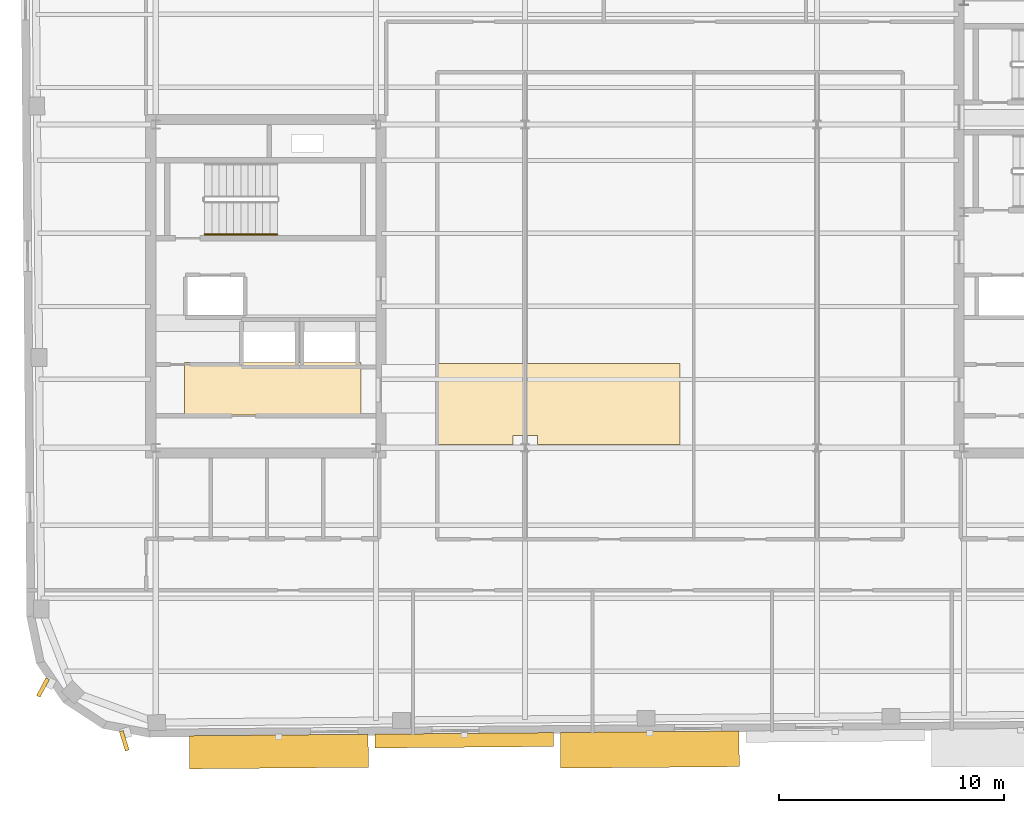
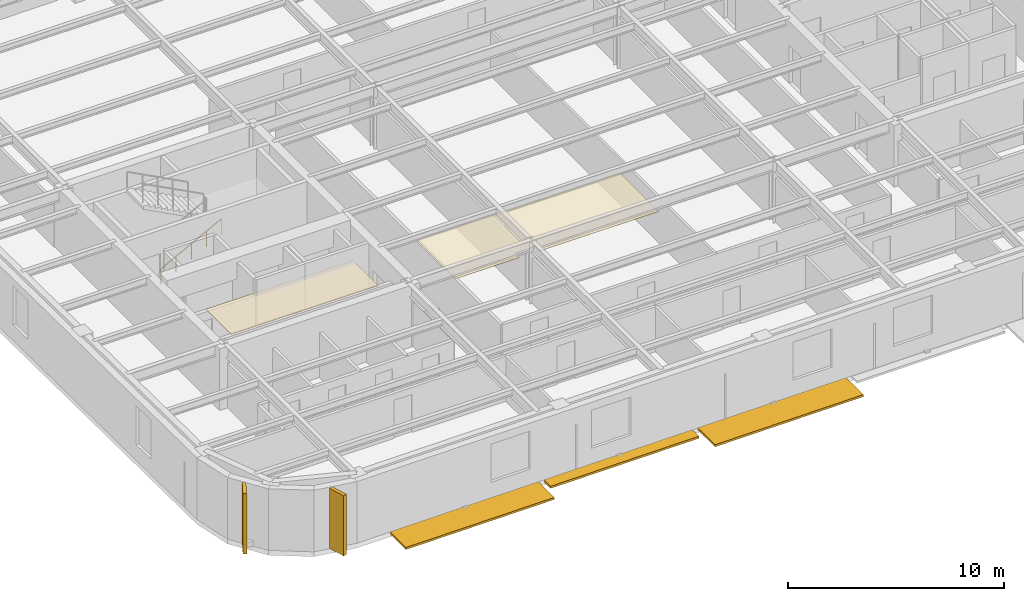
# One storey, part 11 of 15: 5 shading devices, 2 coverings, 1 railing.
"""IFC4 building model written with IfcOpenShell, lengths in metres."""

from ifc_helpers import new_model, si_unit, direction, frame, origin, origin_2d, place, context, subcontext, project, spatial, polyline, rectangle, circle, outline, extrude, material, layer, layer_set, type_object, element, save


model = new_model("IFC4")

# Units and contexts
model_context = context("Model", 3, precision=1e-05, world=origin(), true_north=direction((0.0, 1.0)))
body_context = subcontext(model_context, "Body", "Model", "MODEL_VIEW")
ifc_project = project(units=[si_unit("LENGTHUNIT", "METRE"), si_unit("AREAUNIT", "SQUARE_METRE"), si_unit("VOLUMEUNIT", "CUBIC_METRE"), si_unit("PLANEANGLEUNIT", "RADIAN"), si_unit("MASSUNIT", "GRAM", prefix="KILO")], contexts=[model_context])

# Site, building, storey
site_placement = place(None, origin())
site = spatial("IfcSite", under=ifc_project, at=site_placement, CompositionType="ELEMENT")
building_placement = place(site_placement, origin())
building = spatial("IfcBuilding", under=site, at=building_placement, Name="Kolvaren Arena Tower", CompositionType="ELEMENT")
storey_placement = place(building_placement, frame((0.0, 0.0, 293.64990234375)))
storey = spatial("IfcBuildingStorey", under=building, at=storey_placement, Name="L72", CompositionType="ELEMENT", Elevation=293.64990234375)

# Coverings
ifc_material_1 = material(Name="Mineral fibre acoustic ceiling tile", Category="gypsum")
ifc_layer_1 = layer(ifc_material_1, 0.02490234375)
ifc_layer_set_1 = layer_set([ifc_layer_1], Name="Mineral fibre acoustic ceiling tile")
covering_type_1 = type_object("IfcCoveringType", Name="CEIL-ACT-1", PredefinedType="CEILING", material=ifc_layer_set_1)
covering_1_placement = place(storey_placement, frame((0.0, 0.0, 2.52001953125)))
element("IfcCovering", 1, at=covering_1_placement, inside=storey, type_object=covering_type_1, Name="Suspended Ceiling (L72)", PredefinedType="CEILING", context=body_context, shape_type="SweptSolid", body=[
    extrude(outline(polyline([(27.050048828125, 19.60009765625), (27.050048828125, 23.199951171875), (37.89990234375, 23.199951171875), (37.89990234375, 19.60009765625), (31.550048828125, 19.60009765625), (31.550048828125, 20.0), (30.449951171875, 20.0), (30.449951171875, 19.60009765625), (27.050048828125, 19.60009765625)])), origin(), (0.0, 0.0, 1.0), 0.025146484375),
])
ifc_material_2 = material(Name="Moisture-resistant gypsum ceiling", Category="gypsum")
ifc_layer_2 = layer(ifc_material_2, 0.030029296875)
ifc_layer_set_2 = layer_set([ifc_layer_2], Name="Moisture-resistant gypsum ceiling")
covering_type_2 = type_object("IfcCoveringType", Name="CEIL-GYP-1", PredefinedType="CEILING", material=ifc_layer_set_2)
covering_2_placement = place(storey_placement, frame((0.0, 0.0, 2.52001953125)))
element("IfcCovering", 2, at=covering_2_placement, inside=storey, type_object=covering_type_2, Name="Suspended Ceiling (L72)", PredefinedType="CEILING", context=body_context, shape_type="SweptSolid", body=[
    extrude(outline(polyline([(15.820068359375, 20.89990234375), (15.820068359375, 23.239990234375), (23.679931640625, 23.239990234375), (23.679931640625, 20.89990234375), (15.820068359375, 20.89990234375)])), origin(), (0.0, 0.0, 1.0), 0.030029296875),
])

# Railing
ifc_material_3 = material(Name="Brushed stainless steel handrail", Category="steel")
railing_type = type_object("IfcRailingType", Name="HRAIL-900", PredefinedType="HANDRAIL", material=ifc_material_3)
railing_placement = place(storey_placement, frame((16.719970703125, 28.949951171875, 0.170654296875)))
element("IfcRailing", 3, at=railing_placement, inside=storey, type_object=railing_type, Name="L72 ST-W1 stair handrail 1", PredefinedType="HANDRAIL", context=body_context, shape_type="SweptSolid", body=[
    extrude(circle(Radius=0.02392578125, at=origin_2d()), frame((0.0, 0.0, 0.8759765625), z_axis=(0.885020909582, 0.0, 0.465551274945), x_axis=(0.0, 1.0, 0.0)), (0.0, 0.0, 1.0), 3.660888671875),
    extrude(circle(Radius=0.02099609375, at=origin_2d()), origin(), (0.0, 0.0, 1.0), 0.851806640625),
    extrude(circle(Radius=0.02099609375, at=origin_2d()), frame((0.81005859375, 0.0, 0.426025390625)), (0.0, 0.0, 1.0), 0.851806640625),
    extrude(circle(Radius=0.02099609375, at=origin_2d()), frame((1.6201171875, 0.0, 0.85205078125)), (0.0, 0.0, 1.0), 0.851806640625),
    extrude(circle(Radius=0.02099609375, at=origin_2d()), frame((2.429931640625, 0.0, 1.2783203125)), (0.0, 0.0, 1.0), 0.851806640625),
    extrude(circle(Radius=0.02099609375, at=origin_2d()), frame((3.239990234375, 0.0, 1.704345703125)), (0.0, 0.0, 1.0), 0.851806640625),
])

# Shading devices
ifc_material_4 = material(Name="Precast architectural concrete C50/60 rib fin", Category="concrete")
shading_device_type_1 = type_object("IfcShadingDeviceType", Name="SHAD-FIN-28", PredefinedType="USERDEFINED", material=ifc_material_4)
for number, where, z_axis, x_axis, name in (
    (4, (9.525146484375, 8.77392578125, 0.020263671875), (0.0, 0.0, 1.0), (-0.465619154103, -0.884985199499, 0.0), "Precast 28-Deg Corner Rib Fin (L72)"),
    (5, (13.1455078125, 6.400390625, 0.020263671875), (0.0, 0.0, 1.0), (0.296541574976, -0.955019944457, 0.0), "Precast 28-Deg Corner Rib Fin (L72)"),
):
    element("IfcShadingDevice", number, at=place(storey_placement, frame(where, z_axis=z_axis, x_axis=x_axis)), inside=storey, type_object=shading_device_type_1, Name=name, ObjectType="FIN", PredefinedType="USERDEFINED", context=body_context, shape_type="SweptSolid", body=[
        extrude(rectangle(XDim=0.89990234375, YDim=0.179931640625, at=origin_2d()), origin(), (0.0, 0.0, 1.0), 3.39990234375),
    ])
ifc_material_5 = material(Name="Architectural precast GFRC and anodised aluminium sunshade", Category="concrete")
shading_device_type_2 = type_object("IfcShadingDeviceType", Name="SHAD-SINE-A", PredefinedType="USERDEFINED", material=ifc_material_5)
shading_device_1_placement = place(storey_placement, frame((28.289306640625, 6.42138671875, -0.139892578125), z_axis=(0.0, 0.0, 1.0), x_axis=(-0.999961923064, -0.008726535498, 0.0)))
element("IfcShadingDevice", 6, at=shading_device_1_placement, inside=storey, type_object=shading_device_type_2, Name="Sinusoidal Slab-Edge Sunshade Louvre (L72)", ObjectType="LOUVRE", PredefinedType="USERDEFINED", context=body_context, shape_type="SweptSolid", body=[
    extrude(rectangle(XDim=7.9599609375, YDim=0.6171875, at=origin_2d()), origin(), (0.0, 0.0, 1.0), 0.1201171875),
])
shading_device_type_3 = type_object("IfcShadingDeviceType", Name="SHAD-SINE-B", PredefinedType="JALOUSIE", material=ifc_material_5)
shading_device_2_placement = place(storey_placement, frame((36.55322265625, 6.00830078125, -0.139892578125), z_axis=(0.0, 0.0, 1.0), x_axis=(-0.999961923064, -0.008726535498, 0.0)))
element("IfcShadingDevice", 7, at=shading_device_2_placement, inside=storey, type_object=shading_device_type_3, Name="Sinusoidal Slab-Edge Sunshade Louvre (L72)", PredefinedType="JALOUSIE", context=body_context, shape_type="SweptSolid", body=[
    extrude(rectangle(XDim=7.9599609375, YDim=1.587646484375, at=origin_2d()), origin(), (0.0, 0.0, 1.0), 0.1201171875),
])
shading_device_3_placement = place(storey_placement, frame((20.033447265625, 5.921630859375, -0.139892578125), z_axis=(0.0, 0.0, 1.0), x_axis=(-0.999961923064, -0.008726535498, 0.0)))
element("IfcShadingDevice", 8, at=shading_device_3_placement, inside=storey, type_object=shading_device_type_3, Name="Sinusoidal Slab-Edge Sunshade Louvre (L72)", PredefinedType="JALOUSIE", context=body_context, shape_type="SweptSolid", body=[
    extrude(rectangle(XDim=7.9599609375, YDim=1.472900390625, at=origin_2d()), origin(), (0.0, 0.0, 1.0), 0.1201171875),
])

save(model, "model.ifc")
